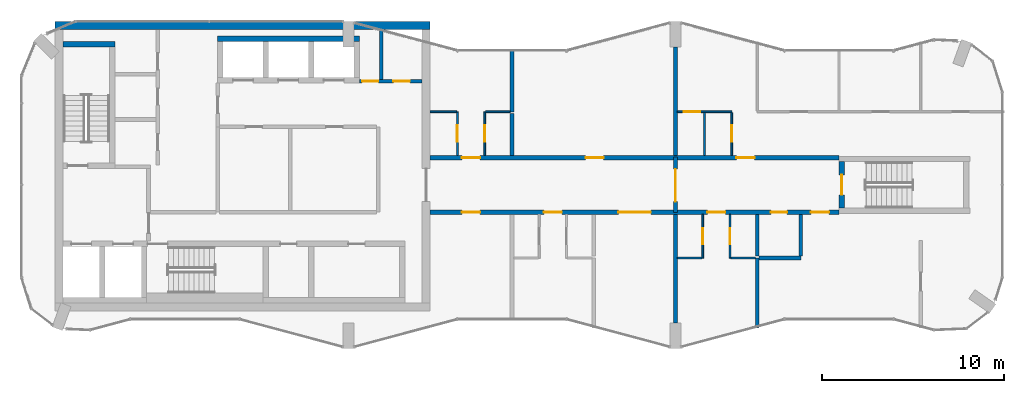
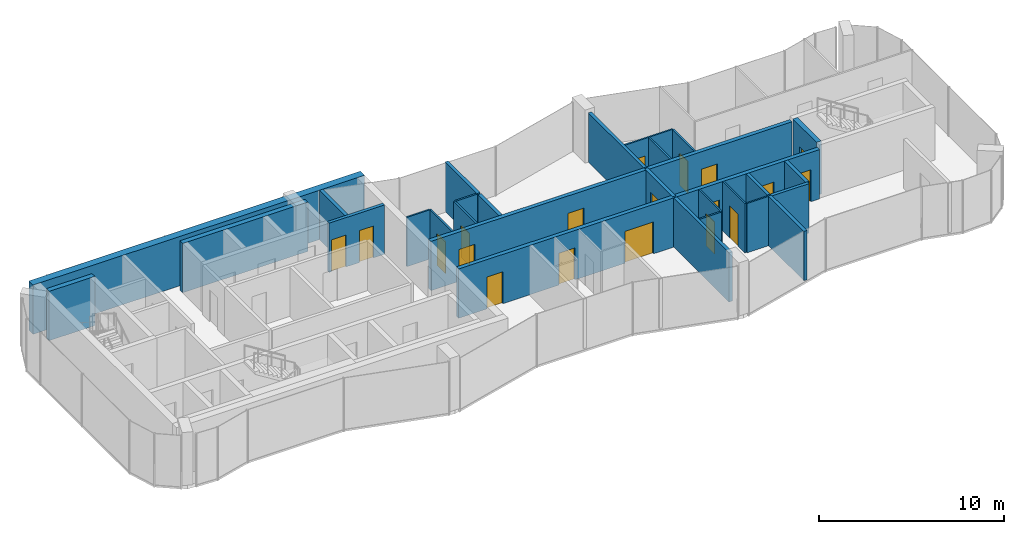
# One storey, part 8 of 10: 28 walls, 19 doors, 19 openings.
"""IFC4 building model written with IfcOpenShell, lengths in metres."""

from ifc_helpers import new_model, si_unit, direction, frame, frame_2d, origin, place, context, subcontext, project, spatial, rectangle, extrude, material, layer, layer_set, type_object, element, fill, save


model = new_model("IFC4")

# Units and contexts
model_context = context("Model", 3, precision=1e-05, world=origin(), true_north=direction((0.0, 1.0)))
body_context = subcontext(model_context, "Body", "Model", "MODEL_VIEW")
ifc_project = project(units=[si_unit("LENGTHUNIT", "METRE"), si_unit("AREAUNIT", "SQUARE_METRE"), si_unit("VOLUMEUNIT", "CUBIC_METRE"), si_unit("PLANEANGLEUNIT", "RADIAN"), si_unit("MASSUNIT", "GRAM", prefix="KILO")], contexts=[model_context])

# Site, building, storey
site_placement = place(None, origin())
site = spatial("IfcSite", under=ifc_project, at=site_placement, CompositionType="ELEMENT")
building_placement = place(site_placement, origin())
building = spatial("IfcBuilding", under=site, at=building_placement, Name="Plateau Cross Towers", CompositionType="ELEMENT")
storey_placement = place(building_placement, frame((0.0, 0.0, 266.89990234375)))
storey = spatial("IfcBuildingStorey", under=building, at=storey_placement, Name="L70", CompositionType="ELEMENT", Elevation=266.89990234375)

# Wall, openings, doors
ifc_material_1 = material(Name="Concrete block, plastered both sides", Category="concrete")
ifc_layer_1 = layer(ifc_material_1, 0.199951171875)
ifc_layer_set_1 = layer_set([ifc_layer_1], Name="Concrete block, plastered both sides")
wall_type_1 = type_object("IfcWallType", Name="Core partition 200", PredefinedType="PARTITIONING", material=ifc_layer_set_1)
wall_1_placement = place(storey_placement, frame((18.60009765625, 14.699951171875, 0.0), z_axis=(0.0, 0.0, 1.0), x_axis=(1.0, 0.0, 0.0)))
wall_1 = element("IfcWall", 1, at=wall_1_placement, inside=storey, type_object=wall_type_1, Name="Core partition", PredefinedType="PARTITIONING", context=body_context, shape_type="SweptSolid", body=[
    extrude(rectangle(XDim=3.449951171875, YDim=0.199951171875, at=frame_2d((1.72509765625, 0.0))), origin(), (0.0, 0.0, 1.0), 3.25),
])
opening_1_placement = place(wall_1_placement, frame((0.14990234375, 0.0, 0.0)))
opening_1 = element("IfcOpeningElement", 2, at=opening_1_placement, cuts=wall_1, Name="Opening RD2", PredefinedType="OPENING", context=body_context, shape_type="SweptSolid", body=[
    extrude(rectangle(XDim=0.89990234375, YDim=2.10009765625, at=frame_2d((0.449951171875, 1.050048828125))), frame((0.0, 0.10986328125, 0.0), z_axis=(0.0, -1.0, 0.0), x_axis=(1.0, 0.0, 0.0)), (0.0, 0.0, 1.0), 0.219970703125),
])
opening_2_placement = place(wall_1_placement, frame((1.875, 0.0, 0.0)))
opening_2 = element("IfcOpeningElement", 3, at=opening_2_placement, cuts=wall_1, Name="Opening RD2", PredefinedType="OPENING", context=body_context, shape_type="SweptSolid", body=[
    extrude(rectangle(XDim=0.89990234375, YDim=2.10009765625, at=frame_2d((0.449951171875, 1.050048828125))), frame((0.0, 0.10986328125, 0.0), z_axis=(0.0, -1.0, 0.0), x_axis=(1.0, 0.0, 0.0)), (0.0, 0.0, 1.0), 0.219970703125),
])
ifc_material_2 = material(Name="Steel, fire-resisting leaf", Category="steel")
door_type_1 = type_object("IfcDoorType", Name="Core riser door 900", OperationType="NOTDEFINED", PredefinedType="DOOR", material=ifc_material_2)
door_1_placement = place(opening_1_placement, origin())
door_1 = element("IfcDoor", 4, at=door_1_placement, inside=storey, type_object=door_type_1, Name="Core riser door RD2", OperationType="SINGLE_SWING_LEFT", OverallHeight=2.10009765625, OverallWidth=0.89990234375, PredefinedType="DOOR", context=body_context, shape_type="SweptSolid", body=[
    extrude(rectangle(XDim=0.89990234375, YDim=2.10009765625, at=frame_2d((0.449951171875, 1.050048828125))), frame((0.0, 0.02490234375, 0.0), z_axis=(0.0, -1.0, 0.0), x_axis=(1.0, 0.0, 0.0)), (0.0, 0.0, 1.0), 0.050048828125),
])
fill(opening_1, door_1)
door_2_placement = place(opening_2_placement, origin())
door_2 = element("IfcDoor", 5, at=door_2_placement, inside=storey, type_object=door_type_1, Name="Core riser door RD2", OperationType="SINGLE_SWING_LEFT", OverallHeight=2.10009765625, OverallWidth=0.89990234375, PredefinedType="DOOR", context=body_context, shape_type="SweptSolid", body=[
    extrude(rectangle(XDim=0.89990234375, YDim=2.10009765625, at=frame_2d((0.449951171875, 1.050048828125))), frame((0.0, 0.02490234375, 0.0), z_axis=(0.0, -1.0, 0.0), x_axis=(1.0, 0.0, 0.0)), (0.0, 0.0, 1.0), 0.050048828125),
])
fill(opening_2, door_2)

# Walls
wall_2_placement = place(storey_placement, frame((19.800048828125, 14.800048828125, 0.0), z_axis=(0.0, 0.0, 1.0), x_axis=(0.0, 1.0, 0.0)))
element("IfcWall", 6, at=wall_2_placement, inside=storey, type_object=wall_type_1, Name="Core partition", PredefinedType="PARTITIONING", context=body_context, shape_type="SweptSolid", body=[
    extrude(rectangle(XDim=2.75, YDim=0.199951171875, at=frame_2d((1.375, 0.0))), origin(), (0.0, 0.0, 1.0), 3.25),
])
ifc_material_3 = material(Name="Concrete C60/75", Category="concrete")
ifc_layer_2 = layer(ifc_material_3, 0.300048828125)
ifc_layer_set_2 = layer_set([ifc_layer_2], Name="Concrete C60/75")
wall_type_2 = type_object("IfcWallType", Name="Core shaft wall 300", PredefinedType="SHEAR", material=ifc_layer_set_2)
wall_3_placement = place(storey_placement, frame((2.300048828125, 16.75, 0.0), z_axis=(0.0, 0.0, 1.0), x_axis=(1.0, 0.0, 0.0)))
element("IfcWall", 7, at=wall_3_placement, inside=storey, type_object=wall_type_2, Name="A-st1-N@L70", PredefinedType="SHEAR", context=body_context, shape_type="SweptSolid", body=[
    extrude(rectangle(XDim=2.849853515625, YDim=0.300048828125, at=frame_2d((1.4248046875, 0.0))), origin(), (0.0, 0.0, 1.0), 3.25),
])
wall_4_placement = place(storey_placement, frame((10.800048828125, 17.050048828125, 0.0), z_axis=(0.0, 0.0, 1.0), x_axis=(1.0, 0.0, 0.0)))
element("IfcWall", 8, at=wall_4_placement, inside=storey, type_object=wall_type_2, Name="A-nb-back@L70", PredefinedType="SHEAR", context=body_context, shape_type="SweptSolid", body=[
    extrude(rectangle(XDim=7.800048828125, YDim=0.300048828125, at=frame_2d((3.89990234375, 0.0))), origin(), (0.0, 0.0, 1.0), 3.25),
])
ifc_layer_3 = layer(ifc_material_3, 0.449951171875)
ifc_layer_set_3 = layer_set([ifc_layer_3], Name="Concrete C60/75")
wall_type_3 = type_object("IfcWallType", Name="Core shell wall 450", PredefinedType="SHEAR", material=ifc_layer_set_3)
wall_5_placement = place(storey_placement, frame((1.85009765625, 17.77490234375, 0.0), z_axis=(0.0, 0.0, 1.0), x_axis=(1.0, 0.0, 0.0)))
element("IfcWall", 9, at=wall_5_placement, inside=storey, type_object=wall_type_3, Name="A-core-N@L70", PredefinedType="SHEAR", context=body_context, shape_type="SweptSolid", body=[
    extrude(rectangle(XDim=20.64990234375, YDim=0.449951171875, at=frame_2d((10.324951171875, 0.0))), origin(), (0.0, 0.0, 1.0), 3.25),
])

# Wall, openings, doors
ifc_layer_4 = layer(ifc_material_3, 0.25)
ifc_layer_set_4 = layer_set([ifc_layer_4], Name="Concrete C60/75")
wall_type_4 = type_object("IfcWallType", Name="Corridor wall 250", PredefinedType="SHEAR", material=ifc_layer_set_4)
wall_6_placement = place(storey_placement, frame((22.5, 7.5, 0.0), z_axis=(0.0, 0.0, 1.0), x_axis=(1.0, 0.0, 0.0)))
wall_6 = element("IfcWall", 10, at=wall_6_placement, inside=storey, type_object=wall_type_4, Name="A-cw-S1@L70", PredefinedType="SHEAR", context=body_context, shape_type="SweptSolid", body=[
    extrude(rectangle(XDim=22.5, YDim=0.25, at=frame_2d((11.25, 0.0))), origin(), (0.0, 0.0, 1.0), 3.25),
])
opening_3_placement = place(wall_6_placement, frame((1.75, 0.0, 0.0)))
opening_3 = element("IfcOpeningElement", 11, at=opening_3_placement, cuts=wall_6, Name="Opening 70-01", PredefinedType="OPENING", context=body_context, shape_type="SweptSolid", body=[
    extrude(rectangle(XDim=1.0, YDim=2.10009765625, at=frame_2d((0.5, 1.050048828125))), frame((0.0, 0.135009765625, 0.0), z_axis=(0.0, -1.0, 0.0), x_axis=(1.0, 0.0, 0.0)), (0.0, 0.0, 1.0), 0.27001953125),
])
opening_4_placement = place(wall_6_placement, frame((6.25, 0.0, 0.0)))
opening_4 = element("IfcOpeningElement", 12, at=opening_4_placement, cuts=wall_6, Name="Opening 70-02", PredefinedType="OPENING", context=body_context, shape_type="SweptSolid", body=[
    extrude(rectangle(XDim=1.0, YDim=2.10009765625, at=frame_2d((0.5, 1.050048828125))), frame((0.0, 0.135009765625, 0.0), z_axis=(0.0, -1.0, 0.0), x_axis=(1.0, 0.0, 0.0)), (0.0, 0.0, 1.0), 0.27001953125),
])
opening_5_placement = place(wall_6_placement, frame((10.35009765625, 0.0, 0.0)))
opening_5 = element("IfcOpeningElement", 13, at=opening_5_placement, cuts=wall_6, Name="Opening 70-03", PredefinedType="OPENING", context=body_context, shape_type="SweptSolid", body=[
    extrude(rectangle(XDim=1.800048828125, YDim=2.10009765625, at=frame_2d((0.89990234375, 1.050048828125))), frame((0.0, 0.135009765625, 0.0), z_axis=(0.0, -1.0, 0.0), x_axis=(1.0, 0.0, 0.0)), (0.0, 0.0, 1.0), 0.27001953125),
])
opening_6_placement = place(wall_6_placement, frame((15.25, 0.0, 0.0)))
opening_6 = element("IfcOpeningElement", 14, at=opening_6_placement, cuts=wall_6, Name="Opening 70-04", PredefinedType="OPENING", context=body_context, shape_type="SweptSolid", body=[
    extrude(rectangle(XDim=1.0, YDim=2.10009765625, at=frame_2d((0.5, 1.050048828125))), frame((0.0, 0.135009765625, 0.0), z_axis=(0.0, -1.0, 0.0), x_axis=(1.0, 0.0, 0.0)), (0.0, 0.0, 1.0), 0.27001953125),
])
opening_7_placement = place(wall_6_placement, frame((18.75, 0.0, 0.0)))
opening_7 = element("IfcOpeningElement", 15, at=opening_7_placement, cuts=wall_6, Name="Opening 70-05", PredefinedType="OPENING", context=body_context, shape_type="SweptSolid", body=[
    extrude(rectangle(XDim=0.89990234375, YDim=2.10009765625, at=frame_2d((0.449951171875, 1.050048828125))), frame((0.0, 0.135009765625, 0.0), z_axis=(0.0, -1.0, 0.0), x_axis=(1.0, 0.0, 0.0)), (0.0, 0.0, 1.0), 0.27001953125),
])
opening_8_placement = place(wall_6_placement, frame((20.949951171875, 0.0, 0.0)))
opening_8 = element("IfcOpeningElement", 16, at=opening_8_placement, cuts=wall_6, Name="Opening 70-06", PredefinedType="OPENING", context=body_context, shape_type="SweptSolid", body=[
    extrude(rectangle(XDim=1.0, YDim=2.10009765625, at=frame_2d((0.5, 1.050048828125))), frame((0.0, 0.135009765625, 0.0), z_axis=(0.0, -1.0, 0.0), x_axis=(1.0, 0.0, 0.0)), (0.0, 0.0, 1.0), 0.27001953125),
])
ifc_material_4 = material(Name="Timber, fire-resisting leaf", Category="wood")
door_type_2 = type_object("IfcDoorType", Name="Flat entrance door 1000", OperationType="NOTDEFINED", PredefinedType="DOOR", material=ifc_material_4)
door_3_placement = place(opening_3_placement, origin())
door_3 = element("IfcDoor", 17, at=door_3_placement, inside=storey, type_object=door_type_2, Name="Door 70-01", OperationType="SINGLE_SWING_LEFT", OverallHeight=2.10009765625, OverallWidth=1.0, PredefinedType="DOOR", context=body_context, shape_type="SweptSolid", body=[
    extrude(rectangle(XDim=1.0, YDim=2.10009765625, at=frame_2d((0.5, 1.050048828125))), frame((0.0, 0.02490234375, 0.0), z_axis=(0.0, -1.0, 0.0), x_axis=(1.0, 0.0, 0.0)), (0.0, 0.0, 1.0), 0.050048828125),
])
fill(opening_3, door_3)
door_4_placement = place(opening_4_placement, origin())
door_4 = element("IfcDoor", 18, at=door_4_placement, inside=storey, type_object=door_type_2, Name="Door 70-02", OperationType="SINGLE_SWING_LEFT", OverallHeight=2.10009765625, OverallWidth=1.0, PredefinedType="DOOR", context=body_context, shape_type="SweptSolid", body=[
    extrude(rectangle(XDim=1.0, YDim=2.10009765625, at=frame_2d((0.5, 1.050048828125))), frame((0.0, 0.02490234375, 0.0), z_axis=(0.0, -1.0, 0.0), x_axis=(1.0, 0.0, 0.0)), (0.0, 0.0, 1.0), 0.050048828125),
])
fill(opening_4, door_4)
door_5_placement = place(opening_6_placement, origin())
door_5 = element("IfcDoor", 19, at=door_5_placement, inside=storey, type_object=door_type_2, Name="Door 70-04", OperationType="SINGLE_SWING_RIGHT", OverallHeight=2.10009765625, OverallWidth=1.0, PredefinedType="DOOR", context=body_context, shape_type="SweptSolid", body=[
    extrude(rectangle(XDim=1.0, YDim=2.10009765625, at=frame_2d((0.5, 1.050048828125))), frame((0.0, 0.02490234375, 0.0), z_axis=(0.0, -1.0, 0.0), x_axis=(1.0, 0.0, 0.0)), (0.0, 0.0, 1.0), 0.050048828125),
])
fill(opening_6, door_5)
door_6_placement = place(opening_8_placement, origin())
door_6 = element("IfcDoor", 20, at=door_6_placement, inside=storey, type_object=door_type_2, Name="Door 70-06", OperationType="SINGLE_SWING_RIGHT", OverallHeight=2.10009765625, OverallWidth=1.0, PredefinedType="DOOR", context=body_context, shape_type="SweptSolid", body=[
    extrude(rectangle(XDim=1.0, YDim=2.10009765625, at=frame_2d((0.5, 1.050048828125))), frame((0.0, 0.02490234375, 0.0), z_axis=(0.0, -1.0, 0.0), x_axis=(1.0, 0.0, 0.0)), (0.0, 0.0, 1.0), 0.050048828125),
])
fill(opening_8, door_6)
ifc_material_5 = material(Name="Timber, fire-resisting leaves", Category="wood")
door_type_3 = type_object("IfcDoorType", Name="Flat floor fire door pair 1800", OperationType="NOTDEFINED", PredefinedType="DOOR", material=ifc_material_5)
door_7_placement = place(opening_5_placement, origin())
door_7 = element("IfcDoor", 21, at=door_7_placement, inside=storey, type_object=door_type_3, Name="Door 70-03", OperationType="SINGLE_SWING_LEFT", OverallHeight=2.10009765625, OverallWidth=1.800048828125, PredefinedType="DOOR", context=body_context, shape_type="SweptSolid", body=[
    extrude(rectangle(XDim=1.800048828125, YDim=2.10009765625, at=frame_2d((0.89990234375, 1.050048828125))), frame((0.0, 0.02490234375, 0.0), z_axis=(0.0, -1.0, 0.0), x_axis=(1.0, 0.0, 0.0)), (0.0, 0.0, 1.0), 0.050048828125),
])
fill(opening_5, door_7)
door_type_4 = type_object("IfcDoorType", Name="Flat floor service door 900", OperationType="NOTDEFINED", PredefinedType="DOOR", material=ifc_material_4)
door_8_placement = place(opening_7_placement, origin())
door_8 = element("IfcDoor", 22, at=door_8_placement, inside=storey, type_object=door_type_4, Name="Door 70-05", OperationType="SINGLE_SWING_RIGHT", OverallHeight=2.10009765625, OverallWidth=0.89990234375, PredefinedType="DOOR", context=body_context, shape_type="SweptSolid", body=[
    extrude(rectangle(XDim=0.89990234375, YDim=2.10009765625, at=frame_2d((0.449951171875, 1.050048828125))), frame((0.0, 0.02490234375, 0.0), z_axis=(0.0, -1.0, 0.0), x_axis=(1.0, 0.0, 0.0)), (0.0, 0.0, 1.0), 0.050048828125),
])
fill(opening_7, door_8)

wall_7_placement = place(storey_placement, frame((22.5, 10.5, 0.0), z_axis=(0.0, 0.0, 1.0), x_axis=(1.0, 0.0, 0.0)))
wall_7 = element("IfcWall", 23, at=wall_7_placement, inside=storey, type_object=wall_type_4, Name="A-cw-S2@L70", PredefinedType="SHEAR", context=body_context, shape_type="SweptSolid", body=[
    extrude(rectangle(XDim=22.5, YDim=0.25, at=frame_2d((11.25, 0.0))), origin(), (0.0, 0.0, 1.0), 3.25),
])
opening_9_placement = place(wall_7_placement, frame((1.75, 0.0, 0.0)))
opening_9 = element("IfcOpeningElement", 24, at=opening_9_placement, cuts=wall_7, Name="Opening 70-07", PredefinedType="OPENING", context=body_context, shape_type="SweptSolid", body=[
    extrude(rectangle(XDim=1.0, YDim=2.10009765625, at=frame_2d((0.5, 1.050048828125))), frame((0.0, 0.135009765625, 0.0), z_axis=(0.0, -1.0, 0.0), x_axis=(1.0, 0.0, 0.0)), (0.0, 0.0, 1.0), 0.27001953125),
])
opening_10_placement = place(wall_7_placement, frame((8.550048828125, 0.0, 0.0)))
opening_10 = element("IfcOpeningElement", 25, at=opening_10_placement, cuts=wall_7, Name="Opening 70-08", PredefinedType="OPENING", context=body_context, shape_type="SweptSolid", body=[
    extrude(rectangle(XDim=1.0, YDim=2.10009765625, at=frame_2d((0.5, 1.050048828125))), frame((0.0, 0.135009765625, 0.0), z_axis=(0.0, -1.0, 0.0), x_axis=(1.0, 0.0, 0.0)), (0.0, 0.0, 1.0), 0.27001953125),
])
opening_11_placement = place(wall_7_placement, frame((16.85009765625, 0.0, 0.0)))
opening_11 = element("IfcOpeningElement", 26, at=opening_11_placement, cuts=wall_7, Name="Opening 70-09", PredefinedType="OPENING", context=body_context, shape_type="SweptSolid", body=[
    extrude(rectangle(XDim=1.0, YDim=2.10009765625, at=frame_2d((0.5, 1.050048828125))), frame((0.0, 0.135009765625, 0.0), z_axis=(0.0, -1.0, 0.0), x_axis=(1.0, 0.0, 0.0)), (0.0, 0.0, 1.0), 0.27001953125),
])
door_9_placement = place(opening_9_placement, origin())
door_9 = element("IfcDoor", 27, at=door_9_placement, inside=storey, type_object=door_type_2, Name="Door 70-07", OperationType="SINGLE_SWING_LEFT", OverallHeight=2.10009765625, OverallWidth=1.0, PredefinedType="DOOR", context=body_context, shape_type="SweptSolid", body=[
    extrude(rectangle(XDim=1.0, YDim=2.10009765625, at=frame_2d((0.5, 1.050048828125))), frame((0.0, 0.02490234375, 0.0), z_axis=(0.0, -1.0, 0.0), x_axis=(1.0, 0.0, 0.0)), (0.0, 0.0, 1.0), 0.050048828125),
])
fill(opening_9, door_9)
door_10_placement = place(opening_10_placement, origin())
door_10 = element("IfcDoor", 28, at=door_10_placement, inside=storey, type_object=door_type_2, Name="Door 70-08", OperationType="SINGLE_SWING_LEFT", OverallHeight=2.10009765625, OverallWidth=1.0, PredefinedType="DOOR", context=body_context, shape_type="SweptSolid", body=[
    extrude(rectangle(XDim=1.0, YDim=2.10009765625, at=frame_2d((0.5, 1.050048828125))), frame((0.0, 0.02490234375, 0.0), z_axis=(0.0, -1.0, 0.0), x_axis=(1.0, 0.0, 0.0)), (0.0, 0.0, 1.0), 0.050048828125),
])
fill(opening_10, door_10)
door_11_placement = place(opening_11_placement, origin())
door_11 = element("IfcDoor", 29, at=door_11_placement, inside=storey, type_object=door_type_2, Name="Door 70-09", OperationType="SINGLE_SWING_RIGHT", OverallHeight=2.10009765625, OverallWidth=1.0, PredefinedType="DOOR", context=body_context, shape_type="SweptSolid", body=[
    extrude(rectangle(XDim=1.0, YDim=2.10009765625, at=frame_2d((0.5, 1.050048828125))), frame((0.0, 0.02490234375, 0.0), z_axis=(0.0, -1.0, 0.0), x_axis=(1.0, 0.0, 0.0)), (0.0, 0.0, 1.0), 0.050048828125),
])
fill(opening_11, door_11)

# Walls
ifc_material_6 = material(Name="Gypsum board on steel studs", Category="steel")
ifc_layer_5 = layer(ifc_material_6, 0.10009765625)
ifc_layer_set_5 = layer_set([ifc_layer_5], Name="Gypsum board on steel studs")
wall_type_5 = type_object("IfcWallType", Name="Flat partition 100", PredefinedType="PARTITIONING", material=ifc_layer_set_5)
for number, where, z_axis, x_axis, name in (
    (30, (36.10009765625, 4.97509765625, 0.0), (0.0, 0.0, 1.0), (1.0, 0.0, 0.0), "Partition wall"),
    (31, (39.050048828125, 4.97509765625, 0.0), (0.0, 0.0, 1.0), (1.0, 0.0, 0.0), "Partition wall"),
):
    element("IfcWall", number, at=place(storey_placement, frame(where, z_axis=z_axis, x_axis=x_axis)), inside=storey, type_object=wall_type_5, Name=name, PredefinedType="PARTITIONING", context=body_context, shape_type="SweptSolid", body=[
        extrude(rectangle(XDim=1.349853515625, YDim=0.10009765625, at=frame_2d((0.6748046875, 0.0))), origin(), (0.0, 0.0, 1.0), 3.25),
    ])
wall_8_placement = place(storey_placement, frame((23.949951171875, 13.02490234375, 0.0), z_axis=(0.0, 0.0, 1.0), x_axis=(-1.0, 0.0, 0.0)))
element("IfcWall", 32, at=wall_8_placement, inside=storey, type_object=wall_type_5, Name="Partition wall", PredefinedType="PARTITIONING", context=body_context, shape_type="SweptSolid", body=[
    extrude(rectangle(XDim=1.449951171875, YDim=0.10009765625, at=frame_2d((0.72509765625, 0.0))), origin(), (0.0, 0.0, 1.0), 3.25),
])
wall_9_placement = place(storey_placement, frame((26.89990234375, 13.02490234375, 0.0), z_axis=(0.0, 0.0, 1.0), x_axis=(-1.0, 0.0, 0.0)))
element("IfcWall", 33, at=wall_9_placement, inside=storey, type_object=wall_type_5, Name="Partition wall", PredefinedType="PARTITIONING", context=body_context, shape_type="SweptSolid", body=[
    extrude(rectangle(XDim=1.349853515625, YDim=0.10009765625, at=frame_2d((0.6748046875, 0.0))), origin(), (0.0, 0.0, 1.0), 3.25),
])

# Wall, opening, door
wall_10_placement = place(storey_placement, frame((39.10009765625, 13.02490234375, 0.0), z_axis=(0.0, 0.0, 1.0), x_axis=(-1.0, 0.0, 0.0)))
wall_10 = element("IfcWall", 34, at=wall_10_placement, inside=storey, type_object=wall_type_5, Name="Partition wall", PredefinedType="PARTITIONING", context=body_context, shape_type="SweptSolid", body=[
    extrude(rectangle(XDim=3.0, YDim=0.10009765625, at=frame_2d((1.5, 0.0))), origin(), (0.0, 0.0, 1.0), 3.25),
])
opening_12_placement = place(wall_10_placement, frame((1.75, 0.0, 0.0)))
opening_12 = element("IfcOpeningElement", 35, at=opening_12_placement, cuts=wall_10, Name="Opening 70-18", PredefinedType="OPENING", context=body_context, shape_type="SweptSolid", body=[
    extrude(rectangle(XDim=0.89990234375, YDim=2.10009765625, at=frame_2d((0.449951171875, 1.050048828125))), frame((0.0, 0.06005859375, 0.0), z_axis=(0.0, -1.0, 0.0), x_axis=(1.0, 0.0, 0.0)), (0.0, 0.0, 1.0), 0.1201171875),
])
ifc_material_7 = material(Name="Timber leaf", Category="wood")
door_type_5 = type_object("IfcDoorType", Name="Flat room door 900", OperationType="NOTDEFINED", PredefinedType="DOOR", material=ifc_material_7)
door_12_placement = place(opening_12_placement, origin())
door_12 = element("IfcDoor", 36, at=door_12_placement, inside=storey, type_object=door_type_5, Name="Door 70-18", OperationType="SINGLE_SWING_RIGHT", OverallHeight=2.10009765625, OverallWidth=0.89990234375, PredefinedType="DOOR", context=body_context, shape_type="SweptSolid", body=[
    extrude(rectangle(XDim=0.89990234375, YDim=2.10009765625, at=frame_2d((0.449951171875, 1.050048828125))), frame((0.0, 0.02490234375, 0.0), z_axis=(0.0, -1.0, 0.0), x_axis=(1.0, 0.0, 0.0)), (0.0, 0.0, 1.0), 0.050048828125),
])
fill(opening_12, door_12)

wall_11_placement = place(storey_placement, frame((24.0, 10.625, 0.0), z_axis=(0.0, 0.0, 1.0), x_axis=(0.0, 1.0, 0.0)))
wall_11 = element("IfcWall", 37, at=wall_11_placement, inside=storey, type_object=wall_type_5, Name="Partition wall", PredefinedType="PARTITIONING", context=body_context, shape_type="SweptSolid", body=[
    extrude(rectangle(XDim=2.39990234375, YDim=0.10009765625, at=frame_2d((1.199951171875, 0.0))), origin(), (0.0, 0.0, 1.0), 3.25),
])
opening_13_placement = place(wall_11_placement, frame((0.75, 0.0, 0.0)))
opening_13 = element("IfcOpeningElement", 38, at=opening_13_placement, cuts=wall_11, Name="Opening 70-16", PredefinedType="OPENING", context=body_context, shape_type="SweptSolid", body=[
    extrude(rectangle(XDim=0.89990234375, YDim=2.10009765625, at=frame_2d((0.449951171875, 1.050048828125))), frame((0.0, 0.06005859375, 0.0), z_axis=(0.0, -1.0, 0.0), x_axis=(1.0, 0.0, 0.0)), (0.0, 0.0, 1.0), 0.1201171875),
])
door_13_placement = place(opening_13_placement, origin())
door_13 = element("IfcDoor", 39, at=door_13_placement, inside=storey, type_object=door_type_5, Name="Door 70-16", OperationType="SINGLE_SWING_LEFT", OverallHeight=2.10009765625, OverallWidth=0.89990234375, PredefinedType="DOOR", context=body_context, shape_type="SweptSolid", body=[
    extrude(rectangle(XDim=0.89990234375, YDim=2.10009765625, at=frame_2d((0.449951171875, 1.050048828125))), frame((0.0, 0.02490234375, 0.0), z_axis=(0.0, -1.0, 0.0), x_axis=(1.0, 0.0, 0.0)), (0.0, 0.0, 1.0), 0.050048828125),
])
fill(opening_13, door_13)

wall_12_placement = place(storey_placement, frame((25.5, 13.02490234375, 0.0), z_axis=(0.0, 0.0, 1.0), x_axis=(0.0, -1.0, 0.0)))
wall_12 = element("IfcWall", 40, at=wall_12_placement, inside=storey, type_object=wall_type_5, Name="Partition wall", PredefinedType="PARTITIONING", context=body_context, shape_type="SweptSolid", body=[
    extrude(rectangle(XDim=2.39990234375, YDim=0.10009765625, at=frame_2d((1.199951171875, 0.0))), origin(), (0.0, 0.0, 1.0), 3.25),
])
opening_14_placement = place(wall_12_placement, frame((0.75, 0.0, 0.0)))
opening_14 = element("IfcOpeningElement", 41, at=opening_14_placement, cuts=wall_12, Name="Opening 70-17", PredefinedType="OPENING", context=body_context, shape_type="SweptSolid", body=[
    extrude(rectangle(XDim=0.89990234375, YDim=2.10009765625, at=frame_2d((0.449951171875, 1.050048828125))), frame((0.0, 0.06005859375, 0.0), z_axis=(0.0, -1.0, 0.0), x_axis=(1.0, 0.0, 0.0)), (0.0, 0.0, 1.0), 0.1201171875),
])
door_14_placement = place(opening_14_placement, origin())
door_14 = element("IfcDoor", 42, at=door_14_placement, inside=storey, type_object=door_type_5, Name="Door 70-17", OperationType="SINGLE_SWING_LEFT", OverallHeight=2.10009765625, OverallWidth=0.89990234375, PredefinedType="DOOR", context=body_context, shape_type="SweptSolid", body=[
    extrude(rectangle(XDim=0.89990234375, YDim=2.10009765625, at=frame_2d((0.449951171875, 1.050048828125))), frame((0.0, 0.02490234375, 0.0), z_axis=(0.0, -1.0, 0.0), x_axis=(1.0, 0.0, 0.0)), (0.0, 0.0, 1.0), 0.050048828125),
])
fill(opening_14, door_14)

wall_13_placement = place(storey_placement, frame((37.5, 4.97509765625, 0.0), z_axis=(0.0, 0.0, 1.0), x_axis=(0.0, 1.0, 0.0)))
wall_13 = element("IfcWall", 43, at=wall_13_placement, inside=storey, type_object=wall_type_5, Name="Partition wall", PredefinedType="PARTITIONING", context=body_context, shape_type="SweptSolid", body=[
    extrude(rectangle(XDim=2.39990234375, YDim=0.10009765625, at=frame_2d((1.199951171875, 0.0))), origin(), (0.0, 0.0, 1.0), 3.25),
])
opening_15_placement = place(wall_13_placement, frame((0.75, 0.0, 0.0)))
opening_15 = element("IfcOpeningElement", 44, at=opening_15_placement, cuts=wall_13, Name="Opening 70-14", PredefinedType="OPENING", context=body_context, shape_type="SweptSolid", body=[
    extrude(rectangle(XDim=0.89990234375, YDim=2.10009765625, at=frame_2d((0.449951171875, 1.050048828125))), frame((0.0, 0.06005859375, 0.0), z_axis=(0.0, -1.0, 0.0), x_axis=(1.0, 0.0, 0.0)), (0.0, 0.0, 1.0), 0.1201171875),
])
door_15_placement = place(opening_15_placement, origin())
door_15 = element("IfcDoor", 45, at=door_15_placement, inside=storey, type_object=door_type_5, Name="Door 70-14", OperationType="SINGLE_SWING_LEFT", OverallHeight=2.10009765625, OverallWidth=0.89990234375, PredefinedType="DOOR", context=body_context, shape_type="SweptSolid", body=[
    extrude(rectangle(XDim=0.89990234375, YDim=2.10009765625, at=frame_2d((0.449951171875, 1.050048828125))), frame((0.0, 0.02490234375, 0.0), z_axis=(0.0, -1.0, 0.0), x_axis=(1.0, 0.0, 0.0)), (0.0, 0.0, 1.0), 0.050048828125),
])
fill(opening_15, door_15)

# Wall
wall_14_placement = place(storey_placement, frame((37.60009765625, 10.625, 0.0), z_axis=(0.0, 0.0, 1.0), x_axis=(0.0, 1.0, 0.0)))
element("IfcWall", 46, at=wall_14_placement, inside=storey, type_object=wall_type_5, Name="Partition wall", PredefinedType="PARTITIONING", context=body_context, shape_type="SweptSolid", body=[
    extrude(rectangle(XDim=2.35009765625, YDim=0.10009765625, at=frame_2d((1.175048828125, 0.0))), origin(), (0.0, 0.0, 1.0), 3.25),
])

# Wall, opening, door
wall_15_placement = place(storey_placement, frame((39.0, 7.375, 0.0), z_axis=(0.0, 0.0, 1.0), x_axis=(0.0, -1.0, 0.0)))
wall_15 = element("IfcWall", 47, at=wall_15_placement, inside=storey, type_object=wall_type_5, Name="Partition wall", PredefinedType="PARTITIONING", context=body_context, shape_type="SweptSolid", body=[
    extrude(rectangle(XDim=2.39990234375, YDim=0.10009765625, at=frame_2d((1.199951171875, 0.0))), origin(), (0.0, 0.0, 1.0), 3.25),
])
opening_16_placement = place(wall_15_placement, frame((0.75, 0.0, 0.0)))
opening_16 = element("IfcOpeningElement", 48, at=opening_16_placement, cuts=wall_15, Name="Opening 70-15", PredefinedType="OPENING", context=body_context, shape_type="SweptSolid", body=[
    extrude(rectangle(XDim=0.89990234375, YDim=2.10009765625, at=frame_2d((0.449951171875, 1.050048828125))), frame((0.0, 0.06005859375, 0.0), z_axis=(0.0, -1.0, 0.0), x_axis=(1.0, 0.0, 0.0)), (0.0, 0.0, 1.0), 0.1201171875),
])
door_16_placement = place(opening_16_placement, origin())
door_16 = element("IfcDoor", 49, at=door_16_placement, inside=storey, type_object=door_type_5, Name="Door 70-15", OperationType="SINGLE_SWING_LEFT", OverallHeight=2.10009765625, OverallWidth=0.89990234375, PredefinedType="DOOR", context=body_context, shape_type="SweptSolid", body=[
    extrude(rectangle(XDim=0.89990234375, YDim=2.10009765625, at=frame_2d((0.449951171875, 1.050048828125))), frame((0.0, 0.02490234375, 0.0), z_axis=(0.0, -1.0, 0.0), x_axis=(1.0, 0.0, 0.0)), (0.0, 0.0, 1.0), 0.050048828125),
])
fill(opening_16, door_16)

wall_16_placement = place(storey_placement, frame((39.10009765625, 10.625, 0.0), z_axis=(0.0, 0.0, 1.0), x_axis=(0.0, 1.0, 0.0)))
wall_16 = element("IfcWall", 50, at=wall_16_placement, inside=storey, type_object=wall_type_5, Name="Partition wall", PredefinedType="PARTITIONING", context=body_context, shape_type="SweptSolid", body=[
    extrude(rectangle(XDim=2.35009765625, YDim=0.10009765625, at=frame_2d((1.175048828125, 0.0))), origin(), (0.0, 0.0, 1.0), 3.25),
])
opening_17_placement = place(wall_16_placement, frame((0.75, 0.0, 0.0)))
opening_17 = element("IfcOpeningElement", 51, at=opening_17_placement, cuts=wall_16, Name="Opening 70-19", PredefinedType="OPENING", context=body_context, shape_type="SweptSolid", body=[
    extrude(rectangle(XDim=0.89990234375, YDim=2.10009765625, at=frame_2d((0.449951171875, 1.050048828125))), frame((0.0, 0.06005859375, 0.0), z_axis=(0.0, -1.0, 0.0), x_axis=(1.0, 0.0, 0.0)), (0.0, 0.0, 1.0), 0.1201171875),
])
door_17_placement = place(opening_17_placement, origin())
door_17 = element("IfcDoor", 52, at=door_17_placement, inside=storey, type_object=door_type_5, Name="Door 70-19", OperationType="SINGLE_SWING_RIGHT", OverallHeight=2.10009765625, OverallWidth=0.89990234375, PredefinedType="DOOR", context=body_context, shape_type="SweptSolid", body=[
    extrude(rectangle(XDim=0.89990234375, YDim=2.10009765625, at=frame_2d((0.449951171875, 1.050048828125))), frame((0.0, 0.02490234375, 0.0), z_axis=(0.0, -1.0, 0.0), x_axis=(1.0, 0.0, 0.0)), (0.0, 0.0, 1.0), 0.050048828125),
])
fill(opening_17, door_17)

# Walls
ifc_material_8 = material(Name="Gypsum board on steel studs, two layers each side", Category="steel")
ifc_layer_6 = layer(ifc_material_8, 0.199951171875)
ifc_layer_set_6 = layer_set([ifc_layer_6], Name="Gypsum board on steel studs, two layers each side")
wall_type_6 = type_object("IfcWallType", Name="Flat party wall 200", PredefinedType="PARTITIONING", material=ifc_layer_set_6)
wall_17_placement = place(storey_placement, frame((40.60009765625, 4.97509765625, 0.0), z_axis=(0.0, 0.0, 1.0), x_axis=(1.0, 0.0, 0.0)))
element("IfcWall", 53, at=wall_17_placement, inside=storey, type_object=wall_type_6, Name="Party wall", PredefinedType="PARTITIONING", context=body_context, shape_type="SweptSolid", body=[
    extrude(rectangle(XDim=2.2998046875, YDim=0.199951171875, at=frame_2d((1.14990234375, 0.0))), origin(), (0.0, 0.0, 1.0), 3.25),
])
wall_18_placement = place(storey_placement, frame((27.0, 16.47314453125, 0.0), z_axis=(0.0, 0.0, 1.0), x_axis=(0.0, -1.0, 0.0)))
element("IfcWall", 54, at=wall_18_placement, inside=storey, type_object=wall_type_6, Name="Party wall", PredefinedType="PARTITIONING", context=body_context, shape_type="SweptSolid", body=[
    extrude(rectangle(XDim=3.4482421875, YDim=0.199951171875, at=frame_2d((1.72412109375, 0.0))), origin(), (0.0, 0.0, 1.0), 3.25),
])
wall_19_placement = place(storey_placement, frame((27.0, 10.625, 0.0), z_axis=(0.0, 0.0, 1.0), x_axis=(0.0, 1.0, 0.0)))
element("IfcWall", 55, at=wall_19_placement, inside=storey, type_object=wall_type_6, Name="Party wall", PredefinedType="PARTITIONING", context=body_context, shape_type="SweptSolid", body=[
    extrude(rectangle(XDim=2.300048828125, YDim=0.199951171875, at=frame_2d((1.14990234375, 0.0))), origin(), (0.0, 0.0, 1.0), 3.25),
])
for number, where, z_axis, x_axis, name in (
    (56, (36.0, 1.39990234375, 0.0), (0.0, 0.0, 1.0), (0.0, 1.0, 0.0), "Party wall"),
    (57, (36.0, 10.625, 0.0), (0.0, 0.0, 1.0), (0.0, 1.0, 0.0), "Party wall"),
):
    element("IfcWall", number, at=place(storey_placement, frame(where, z_axis=z_axis, x_axis=x_axis)), inside=storey, type_object=wall_type_6, Name=name, PredefinedType="PARTITIONING", context=body_context, shape_type="SweptSolid", body=[
        extrude(rectangle(XDim=5.97509765625, YDim=0.199951171875, at=frame_2d((2.987548828125, 0.0))), origin(), (0.0, 0.0, 1.0), 3.25),
    ])
wall_20_placement = place(storey_placement, frame((40.5, 4.97509765625, 0.0), z_axis=(0.0, 0.0, 1.0), x_axis=(0.0, -1.0, 0.0)))
element("IfcWall", 58, at=wall_20_placement, inside=storey, type_object=wall_type_6, Name="Party wall", PredefinedType="PARTITIONING", context=body_context, shape_type="SweptSolid", body=[
    extrude(rectangle(XDim=3.852783203125, YDim=0.199951171875, at=frame_2d((1.92626953125, 0.0))), origin(), (0.0, 0.0, 1.0), 3.25),
])
for number, where, z_axis, x_axis, name in (
    (59, (40.5, 5.074951171875, 0.0), (0.0, 0.0, 1.0), (0.0, 1.0, 0.0), "Party wall"),
    (60, (42.89990234375, 5.074951171875, 0.0), (0.0, 0.0, 1.0), (0.0, 1.0, 0.0), "Party wall"),
):
    element("IfcWall", number, at=place(storey_placement, frame(where, z_axis=z_axis, x_axis=x_axis)), inside=storey, type_object=wall_type_6, Name=name, PredefinedType="PARTITIONING", context=body_context, shape_type="SweptSolid", body=[
        extrude(rectangle(XDim=2.300048828125, YDim=0.199951171875, at=frame_2d((1.14990234375, 0.0))), origin(), (0.0, 0.0, 1.0), 3.25),
    ])

# Wall, opening, door
wall_21_placement = place(storey_placement, frame((36.0, 7.47509765625, 0.0), z_axis=(0.0, 0.0, 1.0), x_axis=(0.0, 1.0, 0.0)))
wall_21 = element("IfcWall", 61, at=wall_21_placement, inside=storey, type_object=wall_type_6, Name="Party wall", PredefinedType="PARTITIONING", context=body_context, shape_type="SweptSolid", body=[
    extrude(rectangle(XDim=3.0498046875, YDim=0.199951171875, at=frame_2d((1.52490234375, 0.0))), origin(), (0.0, 0.0, 1.0), 3.25),
])
opening_18_placement = place(wall_21_placement, frame((0.60009765625, 0.0, 0.0)))
opening_18 = element("IfcOpeningElement", 62, at=opening_18_placement, cuts=wall_21, Name="Opening 70-10", PredefinedType="OPENING", context=body_context, shape_type="SweptSolid", body=[
    extrude(rectangle(XDim=1.800048828125, YDim=2.10009765625, at=frame_2d((0.89990234375, 1.050048828125))), frame((0.0, 0.10986328125, 0.0), z_axis=(0.0, -1.0, 0.0), x_axis=(1.0, 0.0, 0.0)), (0.0, 0.0, 1.0), 0.219970703125),
])
door_18_placement = place(opening_18_placement, origin())
door_18 = element("IfcDoor", 63, at=door_18_placement, inside=storey, type_object=door_type_3, Name="Door 70-10", OperationType="SINGLE_SWING_LEFT", OverallHeight=2.10009765625, OverallWidth=1.800048828125, PredefinedType="DOOR", context=body_context, shape_type="SweptSolid", body=[
    extrude(rectangle(XDim=1.800048828125, YDim=2.10009765625, at=frame_2d((0.89990234375, 1.050048828125))), frame((0.0, 0.02490234375, 0.0), z_axis=(0.0, -1.0, 0.0), x_axis=(1.0, 0.0, 0.0)), (0.0, 0.0, 1.0), 0.050048828125),
])
fill(opening_18, door_18)

ifc_layer_7 = layer(ifc_material_3, 0.300048828125)
ifc_layer_set_7 = layer_set([ifc_layer_7], Name="Concrete C60/75")
wall_type_7 = type_object("IfcWallType", Name="Stair tower wall 300", PredefinedType="SHEAR", material=ifc_layer_set_7)
wall_22_placement = place(storey_placement, frame((45.14990234375, 7.72509765625, 0.0), z_axis=(0.0, 0.0, 1.0), x_axis=(0.0, 1.0, 0.0)))
wall_22 = element("IfcWall", 64, at=wall_22_placement, inside=storey, type_object=wall_type_7, Name="A-end-E-W@L70", PredefinedType="SHEAR", context=body_context, shape_type="SweptSolid", body=[
    extrude(rectangle(XDim=2.5498046875, YDim=0.300048828125, at=frame_2d((1.27490234375, 0.0))), origin(), (0.0, 0.0, 1.0), 3.5),
])
opening_19_placement = place(wall_22_placement, frame((0.72509765625, 0.0, 0.0)))
opening_19 = element("IfcOpeningElement", 65, at=opening_19_placement, cuts=wall_22, Name="Opening SD", PredefinedType="OPENING", context=body_context, shape_type="SweptSolid", body=[
    extrude(rectangle(XDim=1.10009765625, YDim=2.10009765625, at=frame_2d((0.550048828125, 1.050048828125))), frame((0.0, 0.159912109375, 0.0), z_axis=(0.0, -1.0, 0.0), x_axis=(1.0, 0.0, 0.0)), (0.0, 0.0, 1.0), 0.320068359375),
])
door_type_6 = type_object("IfcDoorType", Name="Stair door 1100", OperationType="NOTDEFINED", PredefinedType="DOOR", material=ifc_material_2)
door_19_placement = place(opening_19_placement, origin())
door_19 = element("IfcDoor", 66, at=door_19_placement, inside=storey, type_object=door_type_6, Name="Stair door SD", OperationType="SINGLE_SWING_LEFT", OverallHeight=2.10009765625, OverallWidth=1.10009765625, PredefinedType="DOOR", context=body_context, shape_type="SweptSolid", body=[
    extrude(rectangle(XDim=1.10009765625, YDim=2.10009765625, at=frame_2d((0.550048828125, 1.050048828125))), frame((0.0, 0.02490234375, 0.0), z_axis=(0.0, -1.0, 0.0), x_axis=(1.0, 0.0, 0.0)), (0.0, 0.0, 1.0), 0.050048828125),
])
fill(opening_19, door_19)

save(model, "model.ifc")
